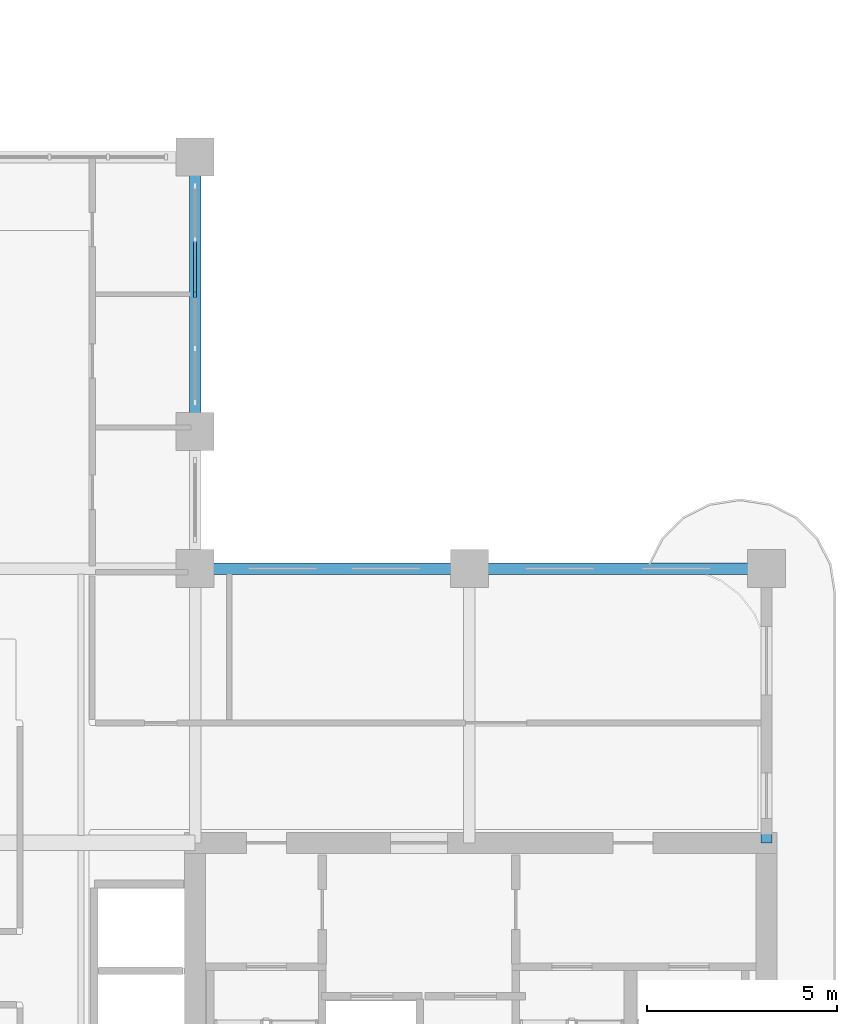
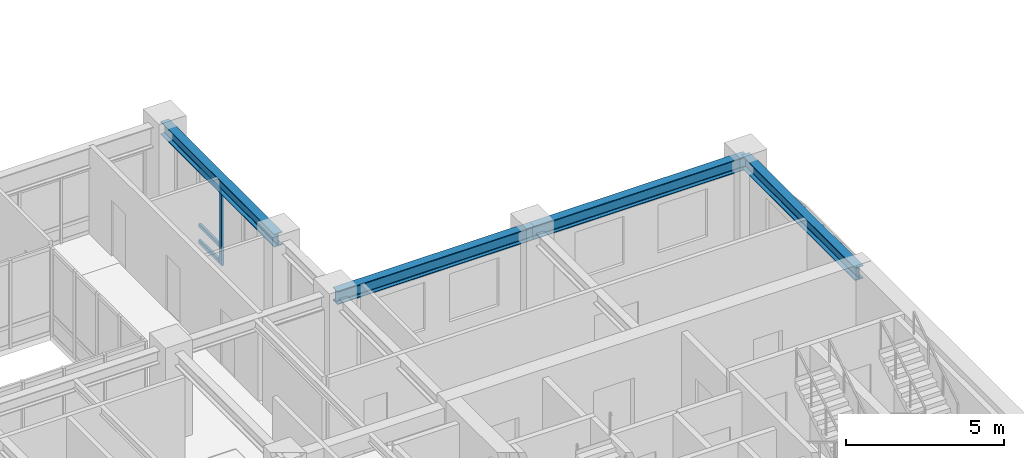
# One storey, part 4 of 21: 4 beams, 4 members, 1 element without a shape of its own.
"""IFC4 building model written with IfcOpenShell, lengths in metres."""

from ifc_helpers import new_model, si_unit, derived_unit, direction, frame, origin, origin_2d, place, context, subcontext, project, spatial, rectangle, i_section, extrude, source, transform, mapped, material, layer, layer_set, material_profile, profile_set, type_object, type_shapes, element, aggregate, save


model = new_model("IFC4")

# Units and contexts
model_context = context("Model", 3, precision=1e-05, world=origin(), true_north=direction((0.0, 1.0)))
body_context = subcontext(model_context, "Body", "Model", "MODEL_VIEW")
ifc_project = project(units=[si_unit("LENGTHUNIT", "METRE"), si_unit("AREAUNIT", "SQUARE_METRE"), si_unit("VOLUMEUNIT", "CUBIC_METRE"), si_unit("PLANEANGLEUNIT", "RADIAN"), si_unit("MASSUNIT", "GRAM", prefix="KILO"), si_unit("THERMODYNAMICTEMPERATUREUNIT", "KELVIN"), si_unit("POWERUNIT", "WATT"), derived_unit("THERMALTRANSMITTANCEUNIT", [(si_unit("POWERUNIT", "WATT"), 1), (si_unit("AREAUNIT", "SQUARE_METRE"), -1), (si_unit("THERMODYNAMICTEMPERATUREUNIT", "KELVIN"), -1)])], contexts=[model_context])

# Site, building, storey
site_placement = place(None, origin())
site = spatial("IfcSite", under=ifc_project, at=site_placement, CompositionType="ELEMENT")
building_placement = place(site_placement, origin())
building = spatial("IfcBuilding", under=site, at=building_placement, Name="Zahravan Archway Hotel and Residences", CompositionType="ELEMENT")
storey_placement = place(building_placement, frame((0.0, 0.0, 141.39990234375)))
storey = spatial("IfcBuildingStorey", under=building, at=storey_placement, Name="L35", CompositionType="ELEMENT", Elevation=141.39990234375)

# Beams
ifc_material_1 = material(Name="Structural Steel S355JR", Category="steel")
ifc_material_profile_1 = material_profile(ifc_material_1, i_section(OverallWidth=0.300048828125, OverallDepth=0.5, WebThickness=0.014404296875, FlangeThickness=0.028076171875, FilletRadius=0.027099609375, at=origin_2d()), Name="HEB 500", Category="steel")
ifc_profile_set_1 = profile_set([ifc_material_profile_1], Name="Structural Steel S355JR")
beam_type = type_object("IfcBeamType", Name="BM-PRI-HEB500", PredefinedType="BEAM", material=ifc_profile_set_1)
shared_shape_1 = source(origin(), body_context, "Body", "SweptSolid", [
    extrude(i_section(OverallWidth=0.300048828125, OverallDepth=0.5, WebThickness=0.014404296875, FlangeThickness=0.028076171875, FilletRadius=0.027099609375, at=origin_2d()), origin(), (0.0, 0.0, 1.0), 7.2001953125),
])
type_shapes(beam_type, [shared_shape_1])
beam_1_placement = place(storey_placement, frame((49.800048828125, 14.39990234375, 3.150146484375), z_axis=(0.0, 1.0, 0.0), x_axis=(-1.0, 0.0, 0.0)))
element("IfcBeam", 1, at=beam_1_placement, inside=storey, type_object=beam_type, Name="L35 Primary Girder NS-45", PredefinedType="BEAM", context=body_context, shape_type="MappedRepresentation", body=[
    mapped(shared_shape_1, transform((0.0, 0.0, 0.0), scale=1.0)),
])
shared_shape_2 = source(origin(), body_context, "Body", "SweptSolid", [
    extrude(i_section(OverallWidth=0.300048828125, OverallDepth=0.5, WebThickness=0.014404296875, FlangeThickness=0.028076171875, FilletRadius=0.027099609375, at=origin_2d()), origin(), (0.0, 0.0, 1.0), 7.199951171875),
])
for number, where, z_axis, x_axis, name in (
    (2, (34.800048828125, 21.60009765625, 3.150146484375), (1.0, 0.0, 0.0), (0.0, 1.0, 0.0), "L35 Primary Girder EW-14"),
    (3, (34.800048828125, 25.199951171875, 3.150146484375), (0.0, 1.0, 0.0), (-1.0, 0.0, 0.0), "L35 Primary Girder NS-43"),
):
    element("IfcBeam", number, at=place(storey_placement, frame(where, z_axis=z_axis, x_axis=x_axis)), inside=storey, type_object=beam_type, Name=name, PredefinedType="BEAM", context=body_context, shape_type="MappedRepresentation", body=[
        mapped(shared_shape_2, transform((0.0, 0.0, 0.0), scale=1.0)),
    ])
shared_shape_3 = source(origin(), body_context, "Body", "SweptSolid", [
    extrude(i_section(OverallWidth=0.300048828125, OverallDepth=0.5, WebThickness=0.014404296875, FlangeThickness=0.028076171875, FilletRadius=0.027099609375, at=origin_2d()), origin(), (0.0, 0.0, 1.0), 7.800048828125),
])
beam_2_placement = place(storey_placement, frame((42.0, 21.60009765625, 3.150146484375), z_axis=(1.0, 0.0, 0.0), x_axis=(0.0, 1.0, 0.0)))
element("IfcBeam", 4, at=beam_2_placement, inside=storey, type_object=beam_type, Name="L35 Primary Girder EW-15", PredefinedType="BEAM", context=body_context, shape_type="MappedRepresentation", body=[
    mapped(shared_shape_3, transform((0.0, 0.0, 0.0), scale=1.0)),
])

# Curtain wall, members
ifc_material_2 = material(Name="Bronze-Anodized Unitised Aluminium & Low-E Glass", Category="aluminium")
ifc_layer = layer(ifc_material_2, 0.179931640625, Name="Bronze-Anodized Unitised Aluminium & Low-E Glass", Category="aluminium")
ifc_layer_set = layer_set([ifc_layer], Name="Bronze-Anodized Unitised Aluminium & Low-E Glass")
curtain_wall_type = type_object("IfcCurtainWallType", Name="CW-ATR-GLAZ", PredefinedType="NOTDEFINED", material=ifc_layer_set)
curtain_wall_placement = place(storey_placement, origin())
curtain_wall = element("IfcCurtainWall", 5, at=curtain_wall_placement, inside=storey, type_object=curtain_wall_type, Name="L35 Curtain Wall CW-L35-HNG-E-2", PredefinedType="NOTDEFINED")
ifc_material_3 = material(Name="Bronze-Anodized Extruded Aluminium", Category="aluminium")
ifc_material_profile_2 = material_profile(ifc_material_3, rectangle(XDim=0.080078125, YDim=0.139892578125, at=origin_2d()), Name="TRN 80x140", Category="aluminium")
ifc_profile_set_2 = profile_set([ifc_material_profile_2], Name="Bronze-Anodized Extruded Aluminium")
member_type_1 = type_object("IfcMemberType", Name="CWM-TRN-140", PredefinedType="USERDEFINED", material=ifc_profile_set_2)
shared_shape_4 = source(origin(), body_context, "Body", "SweptSolid", [
    extrude(rectangle(XDim=0.080078125, YDim=0.139892578125, at=origin_2d()), origin(), (0.0, 0.0, 1.0), 1.33984375),
])
member_1_placement = place(storey_placement, frame((34.800048828125, 28.840087890625, 0.070068359375), z_axis=(0.0, 1.0, 0.0), x_axis=(-1.0, 0.0, 0.0)))
member_1 = element("IfcMember", 6, at=member_1_placement, type_object=member_type_1, Name="CW-L35-HNG-E-2 Transom 2-1", ObjectType="TRANSOM", PredefinedType="USERDEFINED", context=body_context, shape_type="MappedRepresentation", body=[
    mapped(shared_shape_4, transform((0.0, 0.0, 0.0), scale=1.0)),
])
member_2_placement = place(storey_placement, frame((34.800048828125, 28.840087890625, 0.6923828125), z_axis=(0.0, 1.0, 0.0), x_axis=(-1.0, 0.0, 0.0)))
member_2 = element("IfcMember", 7, at=member_2_placement, type_object=member_type_1, Name="CW-L35-HNG-E-2 Transom 2-2", ObjectType="TRANSOM", PredefinedType="USERDEFINED", context=body_context, shape_type="MappedRepresentation", body=[
    mapped(shared_shape_4, transform((0.0, 0.0, 0.0), scale=1.0)),
])
member_3_placement = place(storey_placement, frame((34.800048828125, 28.840087890625, 2.815185546875), z_axis=(0.0, 1.0, 0.0), x_axis=(-1.0, 0.0, 0.0)))
member_3 = element("IfcMember", 8, at=member_3_placement, type_object=member_type_1, Name="CW-L35-HNG-E-2 Transom 2-3", ObjectType="TRANSOM", PredefinedType="USERDEFINED", context=body_context, shape_type="MappedRepresentation", body=[
    mapped(shared_shape_4, transform((0.0, 0.0, 0.0), scale=1.0)),
])
ifc_material_profile_3 = material_profile(ifc_material_3, rectangle(XDim=0.080078125, YDim=0.159912109375, at=origin_2d()), Name="MUL 80x160", Category="aluminium")
ifc_profile_set_3 = profile_set([ifc_material_profile_3], Name="Bronze-Anodized Extruded Aluminium")
member_type_2 = type_object("IfcMemberType", Name="CWM-MUL-160", PredefinedType="MULLION", material=ifc_profile_set_3)
shared_shape_5 = source(origin(), body_context, "Body", "SweptSolid", [
    extrude(rectangle(XDim=0.080078125, YDim=0.159912109375, at=origin_2d()), origin(), (0.0, 0.0, 1.0), 2.885009765625),
])
member_4_placement = place(storey_placement, frame((34.800048828125, 28.800048828125, 0.0), z_axis=(0.0, 0.0, 1.0), x_axis=(1.0, 0.0, 0.0)))
member_4 = element("IfcMember", 9, at=member_4_placement, type_object=member_type_2, Name="CW-L35-HNG-E-2 Mullion 2", PredefinedType="MULLION", context=body_context, shape_type="MappedRepresentation", body=[
    mapped(shared_shape_5, transform((0.0, 0.0, 0.0), scale=1.0)),
])
aggregate(curtain_wall, [member_4, member_1, member_2, member_3])

save(model, "model.ifc")
